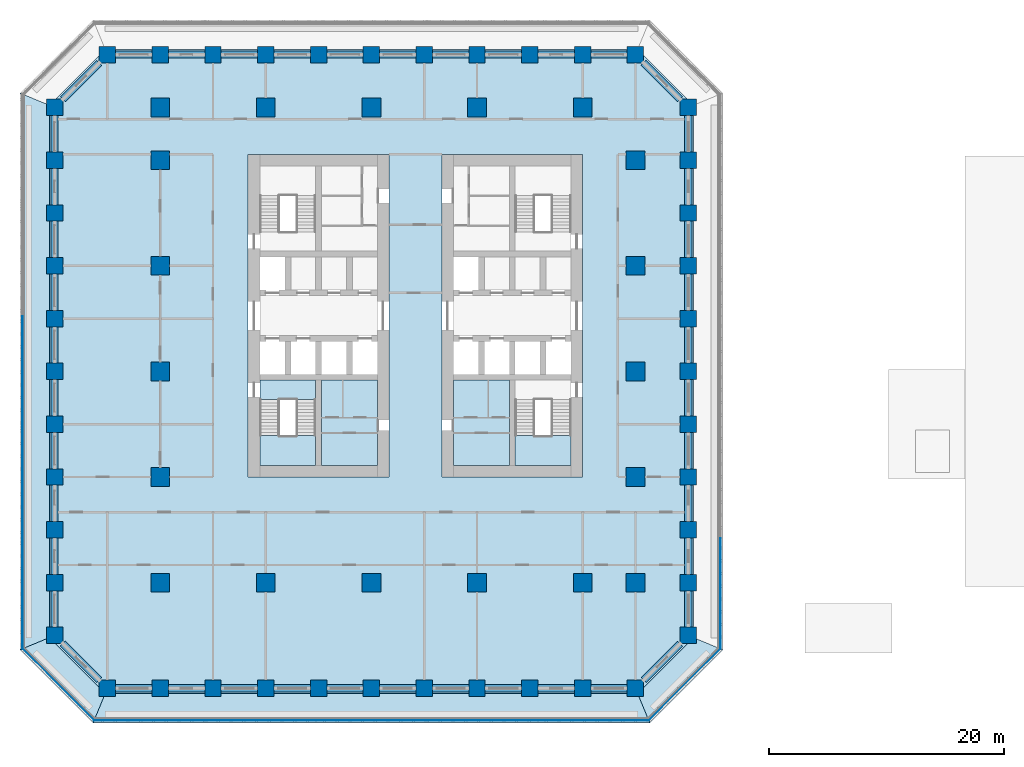
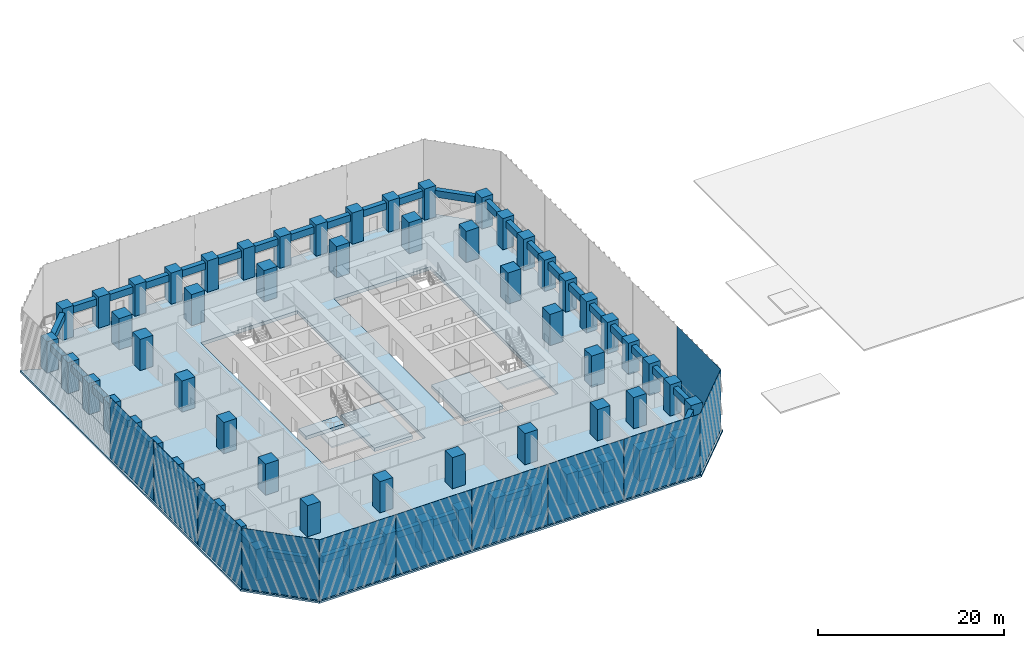
# One storey, part 1 of 15: 63 columns, 44 beams, 11 plates, 10 slabs, 2 elements without a shape of their own.
"""IFC4 building model written with IfcOpenShell, lengths in metres."""

import ifcopenshell
import ifcopenshell.guid

model = None  # the IFC model being written
_history = None  # IfcOwnerHistory: only IFC2X3 demands one
_inside = {}  # id of a spatial element -> (the spatial element, [elements in it])
_under = {}  # id of a project, library or spatial element -> (it, [spatial elements below it])
_declared = {}  # id of a project -> (the project, [libraries it declares])
_typed = {}  # id of a type object -> (the type object, [elements of that type])
_made_of = {}  # id of a material, layer set ... -> (it, [elements and type objects made of it])


def new_model(schema):
    """Start an empty IFC model of exactly this schema.

    Asked for "IFC4X3", IfcOpenShell would pick the latest addendum, in which some entities
    have other attributes; the version numbers below select the first issue.
    IFC2X3 requires an IfcOwnerHistory on every rooted entity: one is made here for all.
    """
    global model, _history
    if schema == "IFC4X3":
        model = ifcopenshell.file(schema_version=(4, 3, 0, 0))
    else:
        model = ifcopenshell.file(schema=schema)
    _inside.clear()
    _under.clear()
    _declared.clear()
    _typed.clear()
    _made_of.clear()
    _history = None
    if model.schema == "IFC2X3":
        org = make("IfcOrganization", Name="unknown")
        user = make(
            "IfcPersonAndOrganization",
            ThePerson=make("IfcPerson", FamilyName="unknown"),
            TheOrganization=org,
        )
        app = make(
            "IfcApplication",
            ApplicationDeveloper=org,
            Version="unknown",
            ApplicationFullName="unknown",
            ApplicationIdentifier="unknown",
        )
        _history = make(
            "IfcOwnerHistory",
            OwningUser=user,
            OwningApplication=app,
            ChangeAction="ADDED",
            CreationDate=0,
        )
    return model


def make(cls, **values):
    """One entity of the class cls with the attributes given. An attribute that is None is left unset."""
    return model.create_entity(
        cls, **{name: value for name, value in values.items() if value is not None}
    )


def rooted(cls, **values):
    """An entity with a GlobalId (a new one), such as an element, a storey or a relation."""
    return make(cls, GlobalId=ifcopenshell.guid.new(), OwnerHistory=_history, **values)


def si_unit(unit_type, name, prefix=None):
    """IfcSIUnit, for example si_unit("LENGTHUNIT", "METRE", prefix="MILLI")."""
    return make("IfcSIUnit", UnitType=unit_type, Prefix=prefix, Name=name)


def assignment(units):
    """IfcUnitAssignment: the units of a project."""
    return None if units is None else make("IfcUnitAssignment", Units=units)


def point(xyz):
    """IfcCartesianPoint."""
    return None if xyz is None else make("IfcCartesianPoint", Coordinates=xyz)


def direction(xyz):
    """IfcDirection."""
    return None if xyz is None else make("IfcDirection", DirectionRatios=xyz)


def frame(location, z_axis=None, x_axis=None):
    """IfcAxis2Placement3D, a coordinate frame: its origin and axes. An axis left out is left unset."""
    return make(
        "IfcAxis2Placement3D",
        Location=point(location),
        Axis=direction(z_axis),
        RefDirection=direction(x_axis),
    )


def frame_2d(location, x_axis=None):
    """IfcAxis2Placement2D, a coordinate frame in the plane: its origin and x axis."""
    return make(
        "IfcAxis2Placement2D", Location=point(location), RefDirection=direction(x_axis)
    )


def origin():
    """The frame at (0, 0, 0) with its axes left unset."""
    return frame((0.0, 0.0, 0.0))


def origin_2d():
    """The frame at (0, 0) in the plane with its x axis left unset."""
    return frame_2d((0.0, 0.0))


def place(relative_to, where):
    """IfcLocalPlacement: puts the frame where relative to a parent placement (None: the world)."""
    return make(
        "IfcLocalPlacement", PlacementRelTo=relative_to, RelativePlacement=where
    )


def context(
    kind, dimensions, precision=None, world=None, true_north=None, identifier=None
):
    """IfcGeometricRepresentationContext, for example the 3D "Model" context."""
    return make(
        "IfcGeometricRepresentationContext",
        ContextIdentifier=identifier,
        ContextType=kind,
        CoordinateSpaceDimension=dimensions,
        Precision=precision,
        WorldCoordinateSystem=world,
        TrueNorth=true_north,
    )


def subcontext(parent, identifier, kind, view, scale=None):
    """IfcGeometricRepresentationSubContext, for example "Body" below "Model"."""
    return make(
        "IfcGeometricRepresentationSubContext",
        ContextIdentifier=identifier,
        ContextType=kind,
        ParentContext=parent,
        TargetScale=scale,
        TargetView=view,
    )


def project(units=None, contexts=None):
    """IfcProject with its units and contexts."""
    return rooted(
        "IfcProject",
        Name="project",
        RepresentationContexts=contexts,
        UnitsInContext=assignment(units),
    )


def spatial(cls, under=None, at=None, **own):
    """A site, building, storey or space (cls), placed at a placement, below another one or the project."""
    s = rooted(cls, ObjectPlacement=at, **own)
    if under is not None:
        _under.setdefault(under.id(), (under, []))[1].append(s)
    return s


def polyline(points):
    """IfcPolyline through the points."""
    return make("IfcPolyline", Points=[point(p) for p in points])


def profile(cls, at=None, kind="AREA", **sizes):
    """A parametric profile (cls). Its sizes go by their IFC names, for example OverallWidth=200.0."""
    return make(cls, ProfileType=kind, Position=at, **sizes)


def rectangle(**sizes):
    """IfcRectangleProfileDef."""
    return profile("IfcRectangleProfileDef", **sizes)


def outline(outer, holes=None, kind="AREA"):
    """IfcArbitraryClosedProfileDef: a profile drawn as a closed curve; with holes, ...WithVoids."""
    if holes is None:
        return make("IfcArbitraryClosedProfileDef", ProfileType=kind, OuterCurve=outer)
    return make(
        "IfcArbitraryProfileDefWithVoids",
        ProfileType=kind,
        OuterCurve=outer,
        InnerCurves=holes,
    )


def extrude(swept, where, along, depth):
    """IfcExtrudedAreaSolid: the profile swept, set in the frame where, extruded along a direction by depth."""
    return make(
        "IfcExtrudedAreaSolid",
        SweptArea=swept,
        Position=where,
        ExtrudedDirection=direction(along),
        Depth=depth,
    )


def shape(context_of_items, identifier, shape_type, items):
    """IfcShapeRepresentation: the items that make up one representation, for example the "Body"."""
    return make(
        "IfcShapeRepresentation",
        ContextOfItems=context_of_items,
        RepresentationIdentifier=identifier,
        RepresentationType=shape_type,
        Items=items,
    )


def material(Name=None, Category=None):
    """IfcMaterial."""
    return make("IfcMaterial", Name=Name, Category=Category)


def layer(
    of_material, thickness, ventilated=None, Name=None, Category=None, Priority=None
):
    """IfcMaterialLayer: one layer of a wall or slab, of a material (None: an air gap)."""
    return make(
        "IfcMaterialLayer",
        Material=of_material,
        LayerThickness=thickness,
        IsVentilated=ventilated,
        Name=Name,
        Category=Category,
        Priority=Priority,
    )


def layer_set(layers, Name=None):
    """IfcMaterialLayerSet."""
    return make("IfcMaterialLayerSet", MaterialLayers=layers, LayerSetName=Name)


def material_profile(
    of_material, cross_section, Name=None, Category=None, Priority=None
):
    """IfcMaterialProfile: a cross section and its material."""
    return make(
        "IfcMaterialProfile",
        Name=Name,
        Material=of_material,
        Profile=cross_section,
        Priority=Priority,
        Category=Category,
    )


def profile_set(profiles, Name=None, composite=None):
    """IfcMaterialProfileSet."""
    return make(
        "IfcMaterialProfileSet",
        Name=Name,
        MaterialProfiles=profiles,
        CompositeProfile=composite,
    )


def made_of(thing, what):
    """Note that an element or type object is made of a material, layer set ...; save() writes the relation."""
    if what is not None:
        _made_of.setdefault(what.id(), (what, []))[1].append(thing)
    return thing


def type_object(cls, material=None, **own):
    """A type object (cls), such as IfcWallType, which elements share."""
    return made_of(rooted(cls, **own), material)


def element(
    cls,
    number,
    at=None,
    inside=None,
    cuts=None,
    type_object=None,
    material=None,
    context=None,
    identifier="Body",
    shape_type=None,
    held_by="IfcProductDefinitionShape",
    body=None,
    shapes=None,
    **own,
):
    """One element of the class cls, such as IfcWall. Its Tag is "e" and its number.

    at: its placement. inside: the storey or other place that contains it. cuts: it is an
    opening in that element (IfcRelVoidsElement). A single representation is given by context,
    identifier, shape_type and body (its items); several are given by shapes. held_by: the class
    of the entity that holds the representations. save() writes the other relations.
    """
    e = rooted(cls, Tag="e%d" % number, ObjectPlacement=at, **own)
    if body is not None:
        shapes = [shape(context, identifier, shape_type, body)]
    if shapes is not None:
        e.Representation = make(held_by, Representations=shapes)
    if inside is not None:
        _inside.setdefault(inside.id(), (inside, []))[1].append(e)
    if cuts is not None:
        rooted(
            "IfcRelVoidsElement", RelatingBuildingElement=cuts, RelatedOpeningElement=e
        )
    if type_object is not None:
        _typed.setdefault(type_object.id(), (type_object, []))[1].append(e)
    return made_of(e, material)


def aggregate(whole, parts):
    """IfcRelAggregates: a whole, such as a stair, and the parts it consists of."""
    return rooted("IfcRelAggregates", RelatingObject=whole, RelatedObjects=parts)


def save(model, path):
    """Write the relations noted so far, then the file.

    IfcRelAggregates (storeys below a building ...), IfcRelContainedInSpatialStructure (elements
    in a storey), IfcRelDefinesByType, IfcRelAssociatesMaterial and IfcRelDeclares: one each for
    every whole, place, type object, material and project.
    """
    for whole, parts in _under.values():
        aggregate(whole, parts)
    for where, things in _inside.values():
        rooted(
            "IfcRelContainedInSpatialStructure",
            RelatedElements=things,
            RelatingStructure=where,
        )
    for kind, things in _typed.values():
        rooted("IfcRelDefinesByType", RelatedObjects=things, RelatingType=kind)
    for what, things in _made_of.values():
        rooted("IfcRelAssociatesMaterial", RelatedObjects=things, RelatingMaterial=what)
    for by, libraries in _declared.values():
        rooted("IfcRelDeclares", RelatingContext=by, RelatedDefinitions=libraries)
    model.write(path)


model = new_model("IFC4")

# Units and contexts
model_context = context("Model", 3, precision=1e-05, world=origin(), true_north=direction((0.0, 1.0)))
body_context = subcontext(model_context, "Body", "Model", "MODEL_VIEW")
ifc_project = project(units=[si_unit("LENGTHUNIT", "METRE"), si_unit("AREAUNIT", "SQUARE_METRE"), si_unit("VOLUMEUNIT", "CUBIC_METRE"), si_unit("PLANEANGLEUNIT", "RADIAN"), si_unit("MASSUNIT", "GRAM", prefix="KILO")], contexts=[model_context])

# Site, building, storey
site_placement = place(None, origin())
site = spatial("IfcSite", under=ifc_project, at=site_placement, CompositionType="ELEMENT")
building_placement = place(site_placement, origin())
building = spatial("IfcBuilding", under=site, at=building_placement, Name="Corbel Stack Research Tower", CompositionType="ELEMENT")
storey_placement = place(building_placement, frame((0.0, 0.0, 23.60009765625)))
storey = spatial("IfcBuildingStorey", under=building, at=storey_placement, Name="L05", CompositionType="ELEMENT", Elevation=23.60009765625)

# Columns
ifc_material_1 = material(Name="Concrete C70/85", Category="concrete")
ifc_material_profile_1 = material_profile(ifc_material_1, rectangle(XDim=1.39990234375, YDim=1.39990234375, at=origin_2d()), Name="RC 1400 x 1400")
ifc_profile_set_1 = profile_set([ifc_material_profile_1], Name="Concrete C70/85")
column_type_1 = type_object("IfcColumnType", Name="C-1400-70", PredefinedType="COLUMN", material=ifc_profile_set_1)
for number, where, z_axis, x_axis, name in (
    (1, (-27.0, -22.5, 0.0), (0.0, 0.0, 1.0), (1.0, 0.0, 0.0), "Column 2/C L05"),
    (2, (-27.0, -18.0, 0.0), (0.0, 0.0, 1.0), (1.0, 0.0, 0.0), "Column 2/D L05"),
    (3, (-27.0, -13.5, 0.0), (0.0, 0.0, 1.0), (1.0, 0.0, 0.0), "Column 2/E L05"),
    (4, (-27.0, -9.0, 0.0), (0.0, 0.0, 1.0), (1.0, 0.0, 0.0), "Column 2/F L05"),
    (5, (-27.0, -4.5, 0.0), (0.0, 0.0, 1.0), (1.0, 0.0, 0.0), "Column 2/G L05"),
    (6, (-27.0, 0.0, 0.0), (0.0, 0.0, 1.0), (1.0, 0.0, 0.0), "Column 2/H L05"),
    (7, (-27.0, 4.5, 0.0), (0.0, 0.0, 1.0), (1.0, 0.0, 0.0), "Column 2/J L05"),
    (8, (-27.0, 9.0, 0.0), (0.0, 0.0, 1.0), (1.0, 0.0, 0.0), "Column 2/K L05"),
    (9, (-27.0, 13.5, 0.0), (0.0, 0.0, 1.0), (1.0, 0.0, 0.0), "Column 2/L L05"),
    (10, (-27.0, 18.0, 0.0), (0.0, 0.0, 1.0), (1.0, 0.0, 0.0), "Column 2/M L05"),
    (11, (-27.0, 22.5, 0.0), (0.0, 0.0, 1.0), (1.0, 0.0, 0.0), "Column 2/N L05"),
    (12, (-22.5, -27.0, 0.0), (0.0, 0.0, 1.0), (1.0, 0.0, 0.0), "Column 3/B L05"),
    (13, (-22.5, 27.0, 0.0), (0.0, 0.0, 1.0), (1.0, 0.0, 0.0), "Column 3/P L05"),
    (14, (-18.0, -27.0, 0.0), (0.0, 0.0, 1.0), (1.0, 0.0, 0.0), "Column 4/B L05"),
    (15, (-18.0, 27.0, 0.0), (0.0, 0.0, 1.0), (1.0, 0.0, 0.0), "Column 4/P L05"),
    (16, (-13.5, -27.0, 0.0), (0.0, 0.0, 1.0), (1.0, 0.0, 0.0), "Column 5/B L05"),
    (17, (-13.5, 27.0, 0.0), (0.0, 0.0, 1.0), (1.0, 0.0, 0.0), "Column 5/P L05"),
    (18, (-9.0, -27.0, 0.0), (0.0, 0.0, 1.0), (1.0, 0.0, 0.0), "Column 6/B L05"),
    (19, (-9.0, 27.0, 0.0), (0.0, 0.0, 1.0), (1.0, 0.0, 0.0), "Column 6/P L05"),
    (20, (-4.5, -27.0, 0.0), (0.0, 0.0, 1.0), (1.0, 0.0, 0.0), "Column 7/B L05"),
    (21, (-4.5, 27.0, 0.0), (0.0, 0.0, 1.0), (1.0, 0.0, 0.0), "Column 7/P L05"),
    (22, (0.0, -27.0, 0.0), (0.0, 0.0, 1.0), (1.0, 0.0, 0.0), "Column 8/B L05"),
    (23, (0.0, 27.0, 0.0), (0.0, 0.0, 1.0), (1.0, 0.0, 0.0), "Column 8/P L05"),
    (24, (4.5, -27.0, 0.0), (0.0, 0.0, 1.0), (1.0, 0.0, 0.0), "Column 9/B L05"),
    (25, (4.5, 27.0, 0.0), (0.0, 0.0, 1.0), (1.0, 0.0, 0.0), "Column 9/P L05"),
    (26, (9.0, -27.0, 0.0), (0.0, 0.0, 1.0), (1.0, 0.0, 0.0), "Column 10/B L05"),
    (27, (9.0, 27.0, 0.0), (0.0, 0.0, 1.0), (1.0, 0.0, 0.0), "Column 10/P L05"),
    (28, (13.5, -27.0, 0.0), (0.0, 0.0, 1.0), (1.0, 0.0, 0.0), "Column 11/B L05"),
    (29, (13.5, 27.0, 0.0), (0.0, 0.0, 1.0), (1.0, 0.0, 0.0), "Column 11/P L05"),
    (30, (18.0, -27.0, 0.0), (0.0, 0.0, 1.0), (1.0, 0.0, 0.0), "Column 12/B L05"),
    (31, (18.0, 27.0, 0.0), (0.0, 0.0, 1.0), (1.0, 0.0, 0.0), "Column 12/P L05"),
    (32, (22.5, -27.0, 0.0), (0.0, 0.0, 1.0), (1.0, 0.0, 0.0), "Column 13/B L05"),
    (33, (22.5, 27.0, 0.0), (0.0, 0.0, 1.0), (1.0, 0.0, 0.0), "Column 13/P L05"),
    (34, (27.0, -22.5, 0.0), (0.0, 0.0, 1.0), (1.0, 0.0, 0.0), "Column 14/C L05"),
    (35, (27.0, -18.0, 0.0), (0.0, 0.0, 1.0), (1.0, 0.0, 0.0), "Column 14/D L05"),
    (36, (27.0, -13.5, 0.0), (0.0, 0.0, 1.0), (1.0, 0.0, 0.0), "Column 14/E L05"),
    (37, (27.0, -9.0, 0.0), (0.0, 0.0, 1.0), (1.0, 0.0, 0.0), "Column 14/F L05"),
    (38, (27.0, -4.5, 0.0), (0.0, 0.0, 1.0), (1.0, 0.0, 0.0), "Column 14/G L05"),
    (39, (27.0, 0.0, 0.0), (0.0, 0.0, 1.0), (1.0, 0.0, 0.0), "Column 14/H L05"),
    (40, (27.0, 4.5, 0.0), (0.0, 0.0, 1.0), (1.0, 0.0, 0.0), "Column 14/J L05"),
    (41, (27.0, 9.0, 0.0), (0.0, 0.0, 1.0), (1.0, 0.0, 0.0), "Column 14/K L05"),
    (42, (27.0, 13.5, 0.0), (0.0, 0.0, 1.0), (1.0, 0.0, 0.0), "Column 14/L L05"),
    (43, (27.0, 18.0, 0.0), (0.0, 0.0, 1.0), (1.0, 0.0, 0.0), "Column 14/M L05"),
    (44, (27.0, 22.5, 0.0), (0.0, 0.0, 1.0), (1.0, 0.0, 0.0), "Column 14/N L05"),
):
    element("IfcColumn", number, at=place(storey_placement, frame(where, z_axis=z_axis, x_axis=x_axis)), inside=storey, type_object=column_type_1, Name=name, PredefinedType="COLUMN", context=body_context, shape_type="SweptSolid", body=[
        extrude(rectangle(XDim=1.39990234375, YDim=1.39990234375, at=origin_2d()), origin(), (0.0, 0.0, 1.0), 4.099853515625),
    ])
ifc_material_2 = material(Name="Concrete C70/85", Category="concrete")
ifc_material_profile_2 = material_profile(ifc_material_2, rectangle(XDim=1.60009765625, YDim=1.60009765625, at=origin_2d()), Name="RC 1600 x 1600")
ifc_profile_set_2 = profile_set([ifc_material_profile_2], Name="Concrete C70/85")
column_type_2 = type_object("IfcColumnType", Name="C-1600-70", PredefinedType="COLUMN", material=ifc_profile_set_2)
for number, where, z_axis, x_axis, name in (
    (45, (-18.0, -18.0, 0.0), (0.0, 0.0, 1.0), (1.0, 0.0, 0.0), "Column 4/D L05"),
    (46, (-18.0, -9.0, 0.0), (0.0, 0.0, 1.0), (1.0, 0.0, 0.0), "Column 4/F L05"),
    (47, (-18.0, 0.0, 0.0), (0.0, 0.0, 1.0), (1.0, 0.0, 0.0), "Column 4/H L05"),
    (48, (-18.0, 9.0, 0.0), (0.0, 0.0, 1.0), (1.0, 0.0, 0.0), "Column 4/K L05"),
    (49, (-18.0, 18.0, 0.0), (0.0, 0.0, 1.0), (1.0, 0.0, 0.0), "Column 4/M L05"),
    (50, (-18.0, 22.5, 0.0), (0.0, 0.0, 1.0), (1.0, 0.0, 0.0), "Column 4/N L05"),
    (51, (-9.0, -18.0, 0.0), (0.0, 0.0, 1.0), (1.0, 0.0, 0.0), "Column 6/D L05"),
    (52, (-9.0, 22.5, 0.0), (0.0, 0.0, 1.0), (1.0, 0.0, 0.0), "Column 6/N L05"),
    (53, (0.0, -18.0, 0.0), (0.0, 0.0, 1.0), (1.0, 0.0, 0.0), "Column 8/D L05"),
    (54, (0.0, 22.5, 0.0), (0.0, 0.0, 1.0), (1.0, 0.0, 0.0), "Column 8/N L05"),
    (55, (9.0, -18.0, 0.0), (0.0, 0.0, 1.0), (1.0, 0.0, 0.0), "Column 10/D L05"),
    (56, (9.0, 22.5, 0.0), (0.0, 0.0, 1.0), (1.0, 0.0, 0.0), "Column 10/N L05"),
    (57, (18.0, -18.0, 0.0), (0.0, 0.0, 1.0), (1.0, 0.0, 0.0), "Column 12/D L05"),
    (58, (18.0, 22.5, 0.0), (0.0, 0.0, 1.0), (1.0, 0.0, 0.0), "Column 12/N L05"),
    (59, (22.5, -18.0, 0.0), (0.0, 0.0, 1.0), (1.0, 0.0, 0.0), "Column 13/D L05"),
    (60, (22.5, -9.0, 0.0), (0.0, 0.0, 1.0), (1.0, 0.0, 0.0), "Column 13/F L05"),
    (61, (22.5, 0.0, 0.0), (0.0, 0.0, 1.0), (1.0, 0.0, 0.0), "Column 13/H L05"),
    (62, (22.5, 9.0, 0.0), (0.0, 0.0, 1.0), (1.0, 0.0, 0.0), "Column 13/K L05"),
    (63, (22.5, 18.0, 0.0), (0.0, 0.0, 1.0), (1.0, 0.0, 0.0), "Column 13/M L05"),
):
    element("IfcColumn", number, at=place(storey_placement, frame(where, z_axis=z_axis, x_axis=x_axis)), inside=storey, type_object=column_type_2, Name=name, PredefinedType="COLUMN", context=body_context, shape_type="SweptSolid", body=[
        extrude(rectangle(XDim=1.60009765625, YDim=1.60009765625, at=origin_2d()), origin(), (0.0, 0.0, 1.0), 4.099853515625),
    ])

# Beams
ifc_material_3 = material(Name="Concrete C60/75", Category="concrete")
ifc_material_profile_3 = material_profile(ifc_material_3, rectangle(XDim=0.60009765625, YDim=0.89990234375, at=origin_2d()), Name="RC 600 x 900")
ifc_profile_set_3 = profile_set([ifc_material_profile_3], Name="Concrete C60/75")
beam_type = type_object("IfcBeamType", Name="SB-600-900-450", PredefinedType="SPANDREL", material=ifc_profile_set_3)
for number, where, z_axis, x_axis, name in (
    (64, (-21.800048828125, -27.0, 3.199951171875), (1.0, 0.0, 0.0), (0.0, 1.0, 0.0), "Spandrel beam L05-01"),
    (65, (-17.300048828125, -27.0, 3.199951171875), (1.0, 0.0, 0.0), (0.0, 1.0, 0.0), "Spandrel beam L05-02"),
    (66, (-12.800048828125, -27.0, 3.199951171875), (1.0, 0.0, 0.0), (0.0, 1.0, 0.0), "Spandrel beam L05-03"),
    (67, (-8.300048828125, -27.0, 3.199951171875), (1.0, 0.0, 0.0), (0.0, 1.0, 0.0), "Spandrel beam L05-04"),
    (68, (-3.800048828125, -27.0, 3.199951171875), (1.0, 0.0, 0.0), (0.0, 1.0, 0.0), "Spandrel beam L05-05"),
    (69, (0.699951171875, -27.0, 3.199951171875), (1.0, 0.0, 0.0), (0.0, 1.0, 0.0), "Spandrel beam L05-06"),
    (70, (5.199951171875, -27.0, 3.199951171875), (1.0, 0.0, 0.0), (0.0, 1.0, 0.0), "Spandrel beam L05-07"),
    (71, (9.699951171875, -27.0, 3.199951171875), (1.0, 0.0, 0.0), (0.0, 1.0, 0.0), "Spandrel beam L05-08"),
    (72, (14.199951171875, -27.0, 3.199951171875), (1.0, 0.0, 0.0), (0.0, 1.0, 0.0), "Spandrel beam L05-09"),
    (73, (18.699951171875, -27.0, 3.199951171875), (1.0, 0.0, 0.0), (0.0, 1.0, 0.0), "Spandrel beam L05-10"),
):
    element("IfcBeam", number, at=place(storey_placement, frame(where, z_axis=z_axis, x_axis=x_axis)), inside=storey, type_object=beam_type, Name=name, PredefinedType="SPANDREL", context=body_context, shape_type="SweptSolid", body=[
        extrude(rectangle(XDim=0.60009765625, YDim=0.89990234375, at=origin_2d()), origin(), (0.0, 0.0, 1.0), 3.10009765625),
    ])
beam_1_placement = place(storey_placement, frame((23.199951171875, -26.300048828125, 3.199951171875), z_axis=(0.707106781187, 0.707106781187, 0.0), x_axis=(-0.707106781187, 0.707106781187, 0.0)))
element("IfcBeam", 74, at=beam_1_placement, inside=storey, type_object=beam_type, Name="Spandrel beam L05-11", PredefinedType="SPANDREL", context=body_context, shape_type="SweptSolid", body=[
    extrude(rectangle(XDim=0.60009765625, YDim=0.89990234375, at=origin_2d()), origin(), (0.0, 0.0, 1.0), 4.38427734375),
])
for number, where, z_axis, x_axis, name in (
    (75, (27.0, -21.800048828125, 3.199951171875), (0.0, 1.0, 0.0), (-1.0, 0.0, 0.0), "Spandrel beam L05-12"),
    (76, (27.0, -17.300048828125, 3.199951171875), (0.0, 1.0, 0.0), (-1.0, 0.0, 0.0), "Spandrel beam L05-13"),
    (77, (27.0, -12.800048828125, 3.199951171875), (0.0, 1.0, 0.0), (-1.0, 0.0, 0.0), "Spandrel beam L05-14"),
    (78, (27.0, -8.300048828125, 3.199951171875), (0.0, 1.0, 0.0), (-1.0, 0.0, 0.0), "Spandrel beam L05-15"),
    (79, (27.0, -3.800048828125, 3.199951171875), (0.0, 1.0, 0.0), (-1.0, 0.0, 0.0), "Spandrel beam L05-16"),
    (80, (27.0, 0.699951171875, 3.199951171875), (0.0, 1.0, 0.0), (-1.0, 0.0, 0.0), "Spandrel beam L05-17"),
    (81, (27.0, 5.199951171875, 3.199951171875), (0.0, 1.0, 0.0), (-1.0, 0.0, 0.0), "Spandrel beam L05-18"),
    (82, (27.0, 9.699951171875, 3.199951171875), (0.0, 1.0, 0.0), (-1.0, 0.0, 0.0), "Spandrel beam L05-19"),
    (83, (27.0, 14.199951171875, 3.199951171875), (0.0, 1.0, 0.0), (-1.0, 0.0, 0.0), "Spandrel beam L05-20"),
    (84, (27.0, 18.699951171875, 3.199951171875), (0.0, 1.0, 0.0), (-1.0, 0.0, 0.0), "Spandrel beam L05-21"),
):
    element("IfcBeam", number, at=place(storey_placement, frame(where, z_axis=z_axis, x_axis=x_axis)), inside=storey, type_object=beam_type, Name=name, PredefinedType="SPANDREL", context=body_context, shape_type="SweptSolid", body=[
        extrude(rectangle(XDim=0.60009765625, YDim=0.89990234375, at=origin_2d()), origin(), (0.0, 0.0, 1.0), 3.10009765625),
    ])
beam_2_placement = place(storey_placement, frame((26.300048828125, 23.199951171875, 3.199951171875), z_axis=(-0.707106781187, 0.707106781187, 0.0), x_axis=(-0.707106781187, -0.707106781187, 0.0)))
element("IfcBeam", 85, at=beam_2_placement, inside=storey, type_object=beam_type, Name="Spandrel beam L05-22", PredefinedType="SPANDREL", context=body_context, shape_type="SweptSolid", body=[
    extrude(rectangle(XDim=0.60009765625, YDim=0.89990234375, at=origin_2d()), origin(), (0.0, 0.0, 1.0), 4.38427734375),
])
for number, where, z_axis, x_axis, name in (
    (86, (21.800048828125, 27.0, 3.199951171875), (-1.0, 0.0, 0.0), (0.0, -1.0, 0.0), "Spandrel beam L05-23"),
    (87, (17.300048828125, 27.0, 3.199951171875), (-1.0, 0.0, 0.0), (0.0, -1.0, 0.0), "Spandrel beam L05-24"),
    (88, (12.800048828125, 27.0, 3.199951171875), (-1.0, 0.0, 0.0), (0.0, -1.0, 0.0), "Spandrel beam L05-25"),
    (89, (8.300048828125, 27.0, 3.199951171875), (-1.0, 0.0, 0.0), (0.0, -1.0, 0.0), "Spandrel beam L05-26"),
    (90, (3.800048828125, 27.0, 3.199951171875), (-1.0, 0.0, 0.0), (0.0, -1.0, 0.0), "Spandrel beam L05-27"),
    (91, (-0.699951171875, 27.0, 3.199951171875), (-1.0, 0.0, 0.0), (0.0, -1.0, 0.0), "Spandrel beam L05-28"),
    (92, (-5.199951171875, 27.0, 3.199951171875), (-1.0, 0.0, 0.0), (0.0, -1.0, 0.0), "Spandrel beam L05-29"),
    (93, (-9.699951171875, 27.0, 3.199951171875), (-1.0, 0.0, 0.0), (0.0, -1.0, 0.0), "Spandrel beam L05-30"),
    (94, (-14.199951171875, 27.0, 3.199951171875), (-1.0, 0.0, 0.0), (0.0, -1.0, 0.0), "Spandrel beam L05-31"),
    (95, (-18.699951171875, 27.0, 3.199951171875), (-1.0, 0.0, 0.0), (0.0, -1.0, 0.0), "Spandrel beam L05-32"),
):
    element("IfcBeam", number, at=place(storey_placement, frame(where, z_axis=z_axis, x_axis=x_axis)), inside=storey, type_object=beam_type, Name=name, PredefinedType="SPANDREL", context=body_context, shape_type="SweptSolid", body=[
        extrude(rectangle(XDim=0.60009765625, YDim=0.89990234375, at=origin_2d()), origin(), (0.0, 0.0, 1.0), 3.10009765625),
    ])
beam_3_placement = place(storey_placement, frame((-23.199951171875, 26.300048828125, 3.199951171875), z_axis=(-0.707106781187, -0.707106781187, 0.0), x_axis=(0.707106781187, -0.707106781187, 0.0)))
element("IfcBeam", 96, at=beam_3_placement, inside=storey, type_object=beam_type, Name="Spandrel beam L05-33", PredefinedType="SPANDREL", context=body_context, shape_type="SweptSolid", body=[
    extrude(rectangle(XDim=0.60009765625, YDim=0.89990234375, at=origin_2d()), origin(), (0.0, 0.0, 1.0), 4.38427734375),
])
for number, where, z_axis, x_axis, name in (
    (97, (-27.0, 21.800048828125, 3.199951171875), (0.0, -1.0, 0.0), (1.0, 0.0, 0.0), "Spandrel beam L05-34"),
    (98, (-27.0, 17.300048828125, 3.199951171875), (0.0, -1.0, 0.0), (1.0, 0.0, 0.0), "Spandrel beam L05-35"),
    (99, (-27.0, 12.800048828125, 3.199951171875), (0.0, -1.0, 0.0), (1.0, 0.0, 0.0), "Spandrel beam L05-36"),
    (100, (-27.0, 8.300048828125, 3.199951171875), (0.0, -1.0, 0.0), (1.0, 0.0, 0.0), "Spandrel beam L05-37"),
    (101, (-27.0, 3.800048828125, 3.199951171875), (0.0, -1.0, 0.0), (1.0, 0.0, 0.0), "Spandrel beam L05-38"),
    (102, (-27.0, -0.699951171875, 3.199951171875), (0.0, -1.0, 0.0), (1.0, 0.0, 0.0), "Spandrel beam L05-39"),
    (103, (-27.0, -5.199951171875, 3.199951171875), (0.0, -1.0, 0.0), (1.0, 0.0, 0.0), "Spandrel beam L05-40"),
    (104, (-27.0, -9.699951171875, 3.199951171875), (0.0, -1.0, 0.0), (1.0, 0.0, 0.0), "Spandrel beam L05-41"),
    (105, (-27.0, -14.199951171875, 3.199951171875), (0.0, -1.0, 0.0), (1.0, 0.0, 0.0), "Spandrel beam L05-42"),
    (106, (-27.0, -18.699951171875, 3.199951171875), (0.0, -1.0, 0.0), (1.0, 0.0, 0.0), "Spandrel beam L05-43"),
):
    element("IfcBeam", number, at=place(storey_placement, frame(where, z_axis=z_axis, x_axis=x_axis)), inside=storey, type_object=beam_type, Name=name, PredefinedType="SPANDREL", context=body_context, shape_type="SweptSolid", body=[
        extrude(rectangle(XDim=0.60009765625, YDim=0.89990234375, at=origin_2d()), origin(), (0.0, 0.0, 1.0), 3.10009765625),
    ])
beam_4_placement = place(storey_placement, frame((-26.300048828125, -23.199951171875, 3.199951171875), z_axis=(0.707106781187, -0.707106781187, 0.0), x_axis=(0.707106781187, 0.707106781187, 0.0)))
element("IfcBeam", 107, at=beam_4_placement, inside=storey, type_object=beam_type, Name="Spandrel beam L05-44", PredefinedType="SPANDREL", context=body_context, shape_type="SweptSolid", body=[
    extrude(rectangle(XDim=0.60009765625, YDim=0.89990234375, at=origin_2d()), origin(), (0.0, 0.0, 1.0), 4.38427734375),
])

# Plates
ifc_material_4 = material(Name="Fritted glass", Category="glass")
ifc_layer_1 = layer(ifc_material_4, 0.02490234375)
ifc_layer_set_1 = layer_set([ifc_layer_1], Name="Fritted glass")
plate_type = type_object("IfcPlateType", Name="Fritted glass panel 25", PredefinedType="SHEET", material=ifc_layer_set_1)
for number, where, z_axis, x_axis, name in (
    (108, (-18.911376953125, -29.737548828125, 0.0), (0.0, 0.0, 1.0), (1.0, 0.0, 0.0), "Fritted glass L05 S1"),
    (109, (-9.45556640625, -29.737548828125, 0.0), (0.0, 0.0, 1.0), (1.0, 0.0, 0.0), "Fritted glass L05 S2"),
    (110, (0.0, -29.737548828125, 0.0), (0.0, 0.0, 1.0), (1.0, 0.0, 0.0), "Fritted glass L05 S3"),
    (111, (9.45556640625, -29.737548828125, 0.0), (0.0, 0.0, 1.0), (1.0, 0.0, 0.0), "Fritted glass L05 S4"),
    (112, (18.911376953125, -29.737548828125, 0.0), (0.0, 0.0, 1.0), (1.0, 0.0, 0.0), "Fritted glass L05 S5"),
):
    element("IfcPlate", number, at=place(storey_placement, frame(where, z_axis=z_axis, x_axis=x_axis)), inside=storey, type_object=plate_type, Name=name, PredefinedType="SHEET", context=body_context, shape_type="SweptSolid", body=[
        extrude(rectangle(XDim=9.3955078125, YDim=0.02490234375, at=origin_2d()), origin(), (0.0, 0.0, 1.0), 7.949951171875),
    ])
plate_1_placement = place(storey_placement, frame((26.685791015625, -26.685791015625, 0.0), z_axis=(0.0, 0.0, 1.0), x_axis=(0.707106781187, 0.707106781187, 0.0)))
element("IfcPlate", 113, at=plate_1_placement, inside=storey, type_object=plate_type, Name="Fritted glass L05 SE1", PredefinedType="SHEET", context=body_context, shape_type="SweptSolid", body=[
    extrude(rectangle(XDim=8.58203125, YDim=0.02490234375, at=origin_2d()), origin(), (0.0, 0.0, 1.0), 7.949951171875),
])
for number, where, z_axis, x_axis, name in (
    (114, (29.737548828125, -18.911376953125, 0.0), (0.0, 0.0, 1.0), (0.0, 1.0, 0.0), "Fritted glass L05 E1"),
    (115, (-29.737548828125, 0.0, 0.0), (0.0, 0.0, 1.0), (0.0, -1.0, 0.0), "Fritted glass L05 W3"),
    (116, (-29.737548828125, -9.45556640625, 0.0), (0.0, 0.0, 1.0), (0.0, -1.0, 0.0), "Fritted glass L05 W4"),
    (117, (-29.737548828125, -18.911376953125, 0.0), (0.0, 0.0, 1.0), (0.0, -1.0, 0.0), "Fritted glass L05 W5"),
):
    element("IfcPlate", number, at=place(storey_placement, frame(where, z_axis=z_axis, x_axis=x_axis)), inside=storey, type_object=plate_type, Name=name, PredefinedType="SHEET", context=body_context, shape_type="SweptSolid", body=[
        extrude(rectangle(XDim=9.3955078125, YDim=0.02490234375, at=origin_2d()), origin(), (0.0, 0.0, 1.0), 7.949951171875),
    ])
plate_2_placement = place(storey_placement, frame((-26.685791015625, -26.685791015625, 0.0), z_axis=(0.0, 0.0, 1.0), x_axis=(0.707106781187, -0.707106781187, 0.0)))
element("IfcPlate", 118, at=plate_2_placement, inside=storey, type_object=plate_type, Name="Fritted glass L05 SW1", PredefinedType="SHEET", context=body_context, shape_type="SweptSolid", body=[
    extrude(rectangle(XDim=8.58203125, YDim=0.02490234375, at=origin_2d()), origin(), (0.0, 0.0, 1.0), 7.949951171875),
])

# Slabs
ifc_material_5 = material(Name="Concrete C45/55", Category="concrete")
ifc_layer_2 = layer(ifc_material_5, 0.25)
ifc_layer_set_2 = layer_set([ifc_layer_2], Name="Concrete C45/55")
slab_type_1 = type_object("IfcSlabType", Name="PT balcony slab 250 C45/55", PredefinedType="FLOOR", material=ifc_layer_set_2)
slab_1_placement = place(storey_placement, frame((0.0, 0.0, -0.25)))
element("IfcSlab", 119, at=slab_1_placement, inside=storey, type_object=slab_type_1, Name="Loggia slab L05 S", PredefinedType="FLOOR", context=body_context, shape_type="SweptSolid", body=[
    extrude(outline(polyline([(22.789794921875, -27.699951171875), (21.800048828125, -27.699951171875), (21.800048828125, -27.449951171875), (18.699951171875, -27.449951171875), (18.699951171875, -27.699951171875), (17.300048828125, -27.699951171875), (17.300048828125, -27.449951171875), (14.199951171875, -27.449951171875), (14.199951171875, -27.699951171875), (12.800048828125, -27.699951171875), (12.800048828125, -27.449951171875), (9.699951171875, -27.449951171875), (9.699951171875, -27.699951171875), (8.300048828125, -27.699951171875), (8.300048828125, -27.449951171875), (5.199951171875, -27.449951171875), (5.199951171875, -27.699951171875), (3.800048828125, -27.699951171875), (3.800048828125, -27.449951171875), (0.699951171875, -27.449951171875), (0.699951171875, -27.699951171875), (-0.699951171875, -27.699951171875), (-0.699951171875, -27.449951171875), (-3.800048828125, -27.449951171875), (-3.800048828125, -27.699951171875), (-5.199951171875, -27.699951171875), (-5.199951171875, -27.449951171875), (-8.300048828125, -27.449951171875), (-8.300048828125, -27.699951171875), (-9.699951171875, -27.699951171875), (-9.699951171875, -27.449951171875), (-12.800048828125, -27.449951171875), (-12.800048828125, -27.699951171875), (-14.199951171875, -27.699951171875), (-14.199951171875, -27.449951171875), (-17.300048828125, -27.449951171875), (-17.300048828125, -27.699951171875), (-18.699951171875, -27.699951171875), (-18.699951171875, -27.449951171875), (-21.800048828125, -27.449951171875), (-21.800048828125, -27.699951171875), (-22.789794921875, -27.699951171875), (-23.721923828125, -29.949951171875), (23.721923828125, -29.949951171875), (22.789794921875, -27.699951171875)])), origin(), (0.0, 0.0, 1.0), 0.25),
])
slab_2_placement = place(storey_placement, frame((0.0, 0.0, -0.25)))
element("IfcSlab", 120, at=slab_2_placement, inside=storey, type_object=slab_type_1, Name="Loggia slab L05 SE", PredefinedType="FLOOR", context=body_context, shape_type="SweptSolid", body=[
    extrude(outline(polyline([(27.699951171875, -22.789794921875), (27.699951171875, -23.199951171875), (26.936279296875, -23.199951171875), (23.199951171875, -26.936279296875), (23.199951171875, -27.699951171875), (22.789794921875, -27.699951171875), (23.721923828125, -29.949951171875), (29.949951171875, -23.721923828125), (27.699951171875, -22.789794921875)])), origin(), (0.0, 0.0, 1.0), 0.25),
])
slab_3_placement = place(storey_placement, frame((0.0, 0.0, -0.25)))
element("IfcSlab", 121, at=slab_3_placement, inside=storey, type_object=slab_type_1, Name="Loggia slab L05 W", PredefinedType="FLOOR", context=body_context, shape_type="SweptSolid", body=[
    extrude(outline(polyline([(-27.699951171875, -22.789794921875), (-27.699951171875, -21.800048828125), (-27.449951171875, -21.800048828125), (-27.449951171875, -18.699951171875), (-27.699951171875, -18.699951171875), (-27.699951171875, -17.300048828125), (-27.449951171875, -17.300048828125), (-27.449951171875, -14.199951171875), (-27.699951171875, -14.199951171875), (-27.699951171875, -12.800048828125), (-27.449951171875, -12.800048828125), (-27.449951171875, -9.699951171875), (-27.699951171875, -9.699951171875), (-27.699951171875, -8.300048828125), (-27.449951171875, -8.300048828125), (-27.449951171875, -5.199951171875), (-27.699951171875, -5.199951171875), (-27.699951171875, -3.800048828125), (-27.449951171875, -3.800048828125), (-27.449951171875, -0.699951171875), (-27.699951171875, -0.699951171875), (-27.699951171875, 0.699951171875), (-27.449951171875, 0.699951171875), (-27.449951171875, 3.800048828125), (-27.699951171875, 3.800048828125), (-27.699951171875, 5.199951171875), (-27.449951171875, 5.199951171875), (-27.449951171875, 8.300048828125), (-27.699951171875, 8.300048828125), (-27.699951171875, 9.699951171875), (-27.449951171875, 9.699951171875), (-27.449951171875, 12.800048828125), (-27.699951171875, 12.800048828125), (-27.699951171875, 14.199951171875), (-27.449951171875, 14.199951171875), (-27.449951171875, 17.300048828125), (-27.699951171875, 17.300048828125), (-27.699951171875, 18.699951171875), (-27.449951171875, 18.699951171875), (-27.449951171875, 21.800048828125), (-27.699951171875, 21.800048828125), (-27.699951171875, 22.789794921875), (-29.949951171875, 23.721923828125), (-29.949951171875, -23.721923828125), (-27.699951171875, -22.789794921875)])), origin(), (0.0, 0.0, 1.0), 0.25),
])
slab_4_placement = place(storey_placement, frame((0.0, 0.0, -0.25)))
element("IfcSlab", 122, at=slab_4_placement, inside=storey, type_object=slab_type_1, Name="Loggia slab L05 SW", PredefinedType="FLOOR", context=body_context, shape_type="SweptSolid", body=[
    extrude(outline(polyline([(-22.789794921875, -27.699951171875), (-23.199951171875, -27.699951171875), (-23.199951171875, -26.936279296875), (-26.936279296875, -23.199951171875), (-27.699951171875, -23.199951171875), (-27.699951171875, -22.789794921875), (-29.949951171875, -23.721923828125), (-23.721923828125, -29.949951171875), (-22.789794921875, -27.699951171875)])), origin(), (0.0, 0.0, 1.0), 0.25),
])
ifc_material_6 = material(Name="Concrete C45/55", Category="concrete")
ifc_layer_3 = layer(ifc_material_6, 0.449951171875)
ifc_layer_set_3 = layer_set([ifc_layer_3], Name="Concrete C45/55")
slab_type_2 = type_object("IfcSlabType", Name="PT-450", PredefinedType="FLOOR", material=ifc_layer_set_3)
slab_5_placement = place(storey_placement, frame((0.0, 0.0, -0.4501953125)))
element("IfcSlab", 123, at=slab_5_placement, inside=storey, type_object=slab_type_2, Name="Floor slab L05", PredefinedType="FLOOR", context=body_context, shape_type="SweptSolid", body=[
    extrude(outline(polyline([(-22.686279296875, -27.449951171875), (22.686279296875, -27.449951171875), (27.449951171875, -22.686279296875), (27.449951171875, 22.686279296875), (22.686279296875, 27.449951171875), (-22.686279296875, 27.449951171875), (-27.449951171875, 22.686279296875), (-27.449951171875, -22.686279296875), (-22.686279296875, -27.449951171875)]), holes=[polyline([(23.300048828125, 17.199951171875), (21.699951171875, 17.199951171875), (21.699951171875, 18.800048828125), (23.300048828125, 18.800048828125), (23.300048828125, 17.199951171875)]), polyline([(21.699951171875, 8.199951171875), (21.699951171875, 9.800048828125), (23.300048828125, 9.800048828125), (23.300048828125, 8.199951171875), (21.699951171875, 8.199951171875)]), polyline([(23.300048828125, -0.800048828125), (21.699951171875, -0.800048828125), (21.699951171875, 0.800048828125), (23.300048828125, 0.800048828125), (23.300048828125, -0.800048828125)]), polyline([(21.699951171875, -9.800048828125), (21.699951171875, -8.199951171875), (23.300048828125, -8.199951171875), (23.300048828125, -9.800048828125), (21.699951171875, -9.800048828125)]), polyline([(21.699951171875, -18.800048828125), (21.699951171875, -17.199951171875), (23.300048828125, -17.199951171875), (23.300048828125, -18.800048828125), (21.699951171875, -18.800048828125)]), polyline([(17.199951171875, 21.699951171875), (17.199951171875, 23.300048828125), (18.800048828125, 23.300048828125), (18.800048828125, 21.699951171875), (17.199951171875, 21.699951171875)]), polyline([(18.800048828125, -18.800048828125), (17.199951171875, -18.800048828125), (17.199951171875, -17.199951171875), (18.800048828125, -17.199951171875), (18.800048828125, -18.800048828125)]), polyline([(6.0, -9.0), (6.0, 18.5), (18.0, 18.5), (18.0, -9.0), (6.0, -9.0)]), polyline([(8.199951171875, 21.699951171875), (8.199951171875, 23.300048828125), (9.800048828125, 23.300048828125), (9.800048828125, 21.699951171875), (8.199951171875, 21.699951171875)]), polyline([(9.800048828125, -18.800048828125), (8.199951171875, -18.800048828125), (8.199951171875, -17.199951171875), (9.800048828125, -17.199951171875), (9.800048828125, -18.800048828125)]), polyline([(1.5, -9.0), (-10.5, -9.0), (-10.5, 18.5), (1.5, 18.5), (1.5, -9.0)]), polyline([(0.800048828125, 21.699951171875), (-0.800048828125, 21.699951171875), (-0.800048828125, 23.300048828125), (0.800048828125, 23.300048828125), (0.800048828125, 21.699951171875)]), polyline([(0.800048828125, -18.800048828125), (-0.800048828125, -18.800048828125), (-0.800048828125, -17.199951171875), (0.800048828125, -17.199951171875), (0.800048828125, -18.800048828125)]), polyline([(-9.800048828125, 21.699951171875), (-9.800048828125, 23.300048828125), (-8.199951171875, 23.300048828125), (-8.199951171875, 21.699951171875), (-9.800048828125, 21.699951171875)]), polyline([(-8.199951171875, -18.800048828125), (-9.800048828125, -18.800048828125), (-9.800048828125, -17.199951171875), (-8.199951171875, -17.199951171875), (-8.199951171875, -18.800048828125)]), polyline([(-18.800048828125, 21.699951171875), (-18.800048828125, 23.300048828125), (-17.199951171875, 23.300048828125), (-17.199951171875, 21.699951171875), (-18.800048828125, 21.699951171875)]), polyline([(-17.199951171875, 17.199951171875), (-18.800048828125, 17.199951171875), (-18.800048828125, 18.800048828125), (-17.199951171875, 18.800048828125), (-17.199951171875, 17.199951171875)]), polyline([(-17.199951171875, 8.199951171875), (-18.800048828125, 8.199951171875), (-18.800048828125, 9.800048828125), (-17.199951171875, 9.800048828125), (-17.199951171875, 8.199951171875)]), polyline([(-18.800048828125, -0.800048828125), (-18.800048828125, 0.800048828125), (-17.199951171875, 0.800048828125), (-17.199951171875, -0.800048828125), (-18.800048828125, -0.800048828125)]), polyline([(-18.800048828125, -9.800048828125), (-18.800048828125, -8.199951171875), (-17.199951171875, -8.199951171875), (-17.199951171875, -9.800048828125), (-18.800048828125, -9.800048828125)]), polyline([(-17.199951171875, -18.800048828125), (-18.800048828125, -18.800048828125), (-18.800048828125, -17.199951171875), (-17.199951171875, -17.199951171875), (-17.199951171875, -18.800048828125)])]), origin(), (0.0, 0.0, 1.0), 0.4501953125),
])
slab_6_placement = place(storey_placement, frame((0.0, 0.0, -0.4501953125)))
element("IfcSlab", 124, at=slab_6_placement, inside=storey, type_object=slab_type_2, Name="West core floor L05", PredefinedType="FLOOR", context=body_context, shape_type="SweptSolid", body=[
    extrude(outline(polyline([(-4.25, -0.75), (-4.25, -8.0), (0.5, -8.0), (0.5, -0.75), (-4.25, -0.75)])), origin(), (0.0, 0.0, 1.0), 0.4501953125),
])
slab_7_placement = place(storey_placement, frame((0.0, 0.0, -0.4501953125)))
element("IfcSlab", 125, at=slab_7_placement, inside=storey, type_object=slab_type_2, Name="East core floor L05", PredefinedType="FLOOR", context=body_context, shape_type="SweptSolid", body=[
    extrude(outline(polyline([(7.0, -0.75), (7.0, -8.0), (11.75, -8.0), (11.75, -0.75), (7.0, -0.75)])), origin(), (0.0, 0.0, 1.0), 0.4501953125),
])
slab_8_placement = place(storey_placement, frame((0.0, 0.0, -0.4501953125)))
element("IfcSlab", 126, at=slab_8_placement, inside=storey, type_object=slab_type_2, Name="Stair floor landing ST-W1", PredefinedType="FLOOR", context=body_context, shape_type="SweptSolid", body=[
    extrude(outline(polyline([(-9.5, -2.39990234375), (-4.75, -2.39990234375), (-4.75, -0.75), (-9.5, -0.75), (-9.5, -2.39990234375)])), origin(), (0.0, 0.0, 1.0), 0.4501953125),
])

# Stair, slab
ifc_material_7 = material(Name="Concrete C40/50", Category="concrete")
stair_type = type_object("IfcStairType", Name="Exit stair 24 risers", PredefinedType="HALF_TURN_STAIR", material=ifc_material_7)
stair_1_placement = place(storey_placement, origin())
stair_1 = element("IfcStair", 127, at=stair_1_placement, inside=storey, type_object=stair_type, Name="L05 Exit stair ST-W1", PredefinedType="HALF_TURN_STAIR")
ifc_material_8 = material(Name="Concrete C40/50", Category="concrete")
ifc_layer_4 = layer(ifc_material_8, 0.199951171875)
ifc_layer_set_4 = layer_set([ifc_layer_4], Name="Concrete C40/50")
slab_type_3 = type_object("IfcSlabType", Name="Stair landing 200 C40/50", PredefinedType="LANDING", material=ifc_layer_set_4)
slab_9_placement = place(storey_placement, frame((0.0, 0.0, 1.849853515625)))
slab_9 = element("IfcSlab", 128, at=slab_9_placement, type_object=slab_type_3, Name="ST-W1 landing 1", PredefinedType="LANDING", context=body_context, shape_type="SweptSolid", body=[
    extrude(outline(polyline([(-9.5, -8.0), (-9.5, -5.47998046875), (-4.75, -5.47998046875), (-4.75, -8.0), (-9.5, -8.0)])), origin(), (0.0, 0.0, 1.0), 0.199951171875),
])
aggregate(stair_1, [slab_9])

stair_2_placement = place(storey_placement, origin())
stair_2 = element("IfcStair", 129, at=stair_2_placement, inside=storey, type_object=stair_type, Name="L05 Exit stair ST-E1", PredefinedType="HALF_TURN_STAIR")
slab_10_placement = place(storey_placement, frame((0.0, 0.0, 1.849853515625)))
slab_10 = element("IfcSlab", 130, at=slab_10_placement, type_object=slab_type_3, Name="ST-E1 landing 1", PredefinedType="LANDING", context=body_context, shape_type="SweptSolid", body=[
    extrude(outline(polyline([(12.25, -8.0), (12.25, -5.47998046875), (17.0, -5.47998046875), (17.0, -8.0), (12.25, -8.0)])), origin(), (0.0, 0.0, 1.0), 0.199951171875),
])
aggregate(stair_2, [slab_10])

save(model, "model.ifc")
